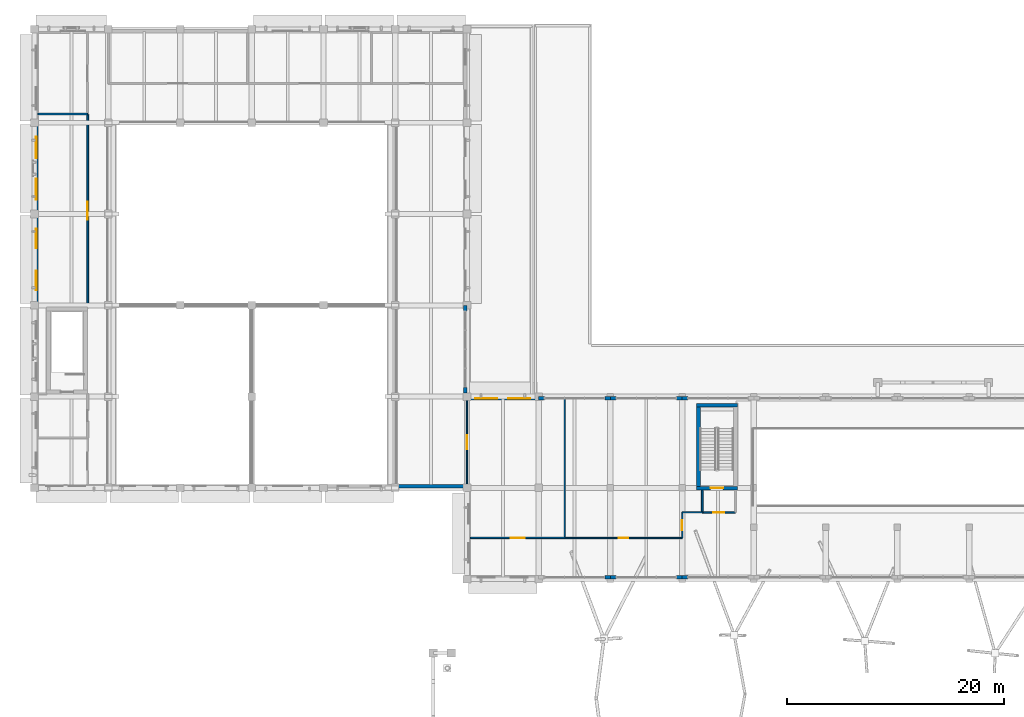
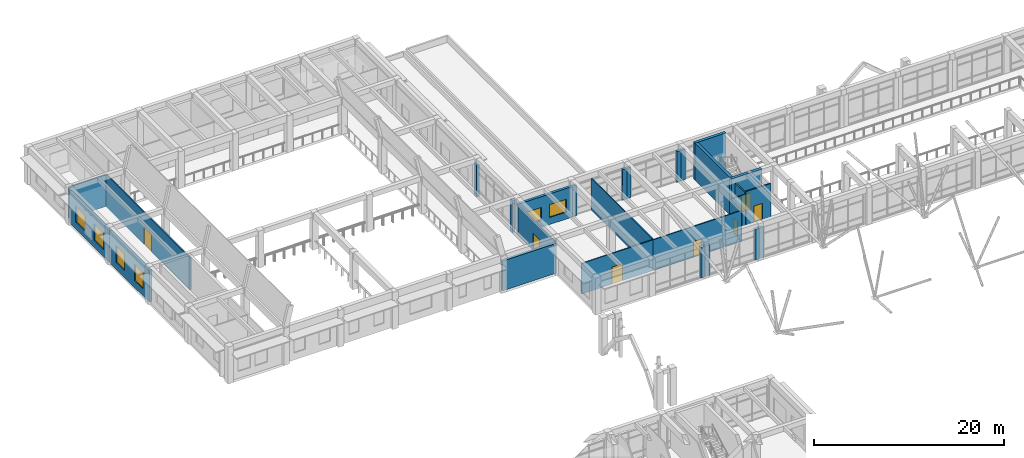
# One storey, part 47 of 75: 28 walls, 7 doors, 6 windows, 13 openings.
"""IFC4 building model written with IfcOpenShell, lengths in metres."""

from ifc_helpers import new_model, si_unit, direction, frame, frame_2d, origin, place, context, subcontext, project, spatial, rectangle, extrude, material, layer, layer_set, type_object, element, fill, save


model = new_model("IFC4")

# Units and contexts
model_context = context("Model", 3, precision=1e-05, world=origin(), true_north=direction((0.0, 1.0)))
body_context = subcontext(model_context, "Body", "Model", "MODEL_VIEW")
ifc_project = project(units=[si_unit("LENGTHUNIT", "METRE"), si_unit("AREAUNIT", "SQUARE_METRE"), si_unit("VOLUMEUNIT", "CUBIC_METRE"), si_unit("PLANEANGLEUNIT", "RADIAN"), si_unit("MASSUNIT", "GRAM", prefix="KILO")], contexts=[model_context])

# Site, building, storey
site_placement = place(None, origin())
site = spatial("IfcSite", under=ifc_project, at=site_placement, CompositionType="ELEMENT")
building_placement = place(site_placement, origin())
building = spatial("IfcBuilding", under=site, at=building_placement, Name="Kolvaren Faculty of Natural Sciences", CompositionType="ELEMENT")
storey_placement = place(building_placement, frame((0.0, 0.0, 5.39990234375)))
storey = spatial("IfcBuildingStorey", under=building, at=storey_placement, Name="L01", CompositionType="ELEMENT", Elevation=5.39990234375)

# Wall
ifc_material_1 = material(Name="Acoustic mineral-wool insulated gypsum partition")
ifc_layer_1 = layer(ifc_material_1, 0.159912109375)
ifc_layer_set_1 = layer_set([ifc_layer_1], Name="Acoustic mineral-wool insulated gypsum partition")
wall_type_1 = type_object("IfcWallType", Name="ClassroomPartitionWall_160", PredefinedType="PARTITIONING", material=ifc_layer_set_1)
wall_1_placement = place(storey_placement, frame((0.322021484375, 110.199951171875, 0.0), z_axis=(0.0, 0.0, 1.0), x_axis=(1.0, 0.0, 0.0)))
element("IfcWall", 1, at=wall_1_placement, inside=storey, type_object=wall_type_1, Name="L01 interior partition PW-160", PredefinedType="PARTITIONING", context=body_context, shape_type="SweptSolid", body=[
    extrude(rectangle(XDim=4.577880859375, YDim=0.159912109375, at=frame_2d((2.2890625, 0.0))), origin(), (0.0, 0.0, 1.0), 4.085205078125),
])

# Wall, opening, door
wall_2_placement = place(storey_placement, frame((4.89990234375, 110.199951171875, 0.0), z_axis=(0.0, 0.0, 1.0), x_axis=(0.0, -1.0, 0.0)))
wall_2 = element("IfcWall", 2, at=wall_2_placement, inside=storey, type_object=wall_type_1, Name="L01 interior partition PW-160", PredefinedType="PARTITIONING", context=body_context, shape_type="SweptSolid", body=[
    extrude(rectangle(XDim=17.800048828125, YDim=0.159912109375, at=frame_2d((8.89990234375, 0.0))), origin(), (0.0, 0.0, 1.0), 4.135009765625),
])
opening_1_placement = place(wall_2_placement, frame((8.080078125, 0.0, 0.0)))
opening_1 = element("IfcOpeningElement", 3, at=opening_1_placement, cuts=wall_2, Name="Opening ID-34", PredefinedType="OPENING", context=body_context, shape_type="SweptSolid", body=[
    extrude(rectangle(XDim=1.639892578125, YDim=2.199951171875, at=frame_2d((0.81982421875, 1.10009765625))), frame((0.0, 0.08984375, 0.0), z_axis=(0.0, -1.0, 0.0), x_axis=(1.0, 0.0, 0.0)), (0.0, 0.0, 1.0), 0.179931640625),
])
ifc_material_2 = material(Name="Thermally broken anodised aluminium glazed door", Category="aluminium")
door_type_1 = type_object("IfcDoorType", Name="InteriorRoomDoor_1640x2200", OperationType="DOUBLE_DOOR_SINGLE_SWING", PredefinedType="DOOR", material=ifc_material_2)
door_1_placement = place(opening_1_placement, origin())
door_1 = element("IfcDoor", 4, at=door_1_placement, inside=storey, type_object=door_type_1, Name="D-L01-0118", OperationType="DOUBLE_DOOR_SINGLE_SWING", OverallHeight=2.199951171875, OverallWidth=1.639892578125, PredefinedType="DOOR", context=body_context, shape_type="SweptSolid", body=[
    extrude(rectangle(XDim=1.639892578125, YDim=2.199951171875, at=frame_2d((0.81982421875, 1.10009765625))), frame((0.0, 0.02490234375, 0.0), z_axis=(0.0, -1.0, 0.0), x_axis=(1.0, 0.0, 0.0)), (0.0, 0.0, 1.0), 0.050048828125),
])
fill(opening_1, door_1)

ifc_material_3 = material(Name="Concrete C40/50", Category="concrete")
ifc_layer_2 = layer(ifc_material_3, 0.35009765625)
ifc_layer_set_2 = layer_set([ifc_layer_2], Name="Concrete C40/50")
wall_type_2 = type_object("IfcWallType", Name="CoreShearWall_350", PredefinedType="SHEAR", material=ifc_layer_set_2)
wall_3_placement = place(storey_placement, frame((60.925048828125, 75.77490234375, 0.0), z_axis=(0.0, 0.0, 1.0), x_axis=(1.0, 0.0, 0.0)))
wall_3 = element("IfcWall", 5, at=wall_3_placement, inside=storey, type_object=wall_type_2, Name="L01 CORE-C6 stair shear wall S", PredefinedType="SHEAR", context=body_context, shape_type="SweptSolid", body=[
    extrude(rectangle(XDim=3.75, YDim=0.35009765625, at=frame_2d((1.875, 0.0))), origin(), (0.0, 0.0, 1.0), 4.800048828125),
])
opening_2_placement = place(wall_3_placement, frame((1.300048828125, 0.0, 0.0)))
opening_2 = element("IfcOpeningElement", 6, at=opening_2_placement, cuts=wall_3, Name="Opening FD90", PredefinedType="OPENING", context=body_context, shape_type="SweptSolid", body=[
    extrude(rectangle(XDim=1.14990234375, YDim=2.14990234375, at=frame_2d((0.574951171875, 1.074951171875))), frame((0.0, 0.18505859375, 0.0), z_axis=(0.0, -1.0, 0.0), x_axis=(1.0, 0.0, 0.0)), (0.0, 0.0, 1.0), 0.3701171875),
])
ifc_material_4 = material(Name="Fire-rated solid-core hardwood door leaf in steel frame", Category="steel")
door_type_2 = type_object("IfcDoorType", Name="StairCoreFireDoor_1150x2150", OperationType="NOTDEFINED", PredefinedType="DOOR", material=ifc_material_4)
door_2_placement = place(opening_2_placement, origin())
door_2 = element("IfcDoor", 7, at=door_2_placement, inside=storey, type_object=door_type_2, Name="D-ST-ST-6-L01", OperationType="SINGLE_SWING_LEFT", OverallHeight=2.14990234375, OverallWidth=1.14990234375, PredefinedType="DOOR", context=body_context, shape_type="SweptSolid", body=[
    extrude(rectangle(XDim=1.14990234375, YDim=2.14990234375, at=frame_2d((0.574951171875, 1.074951171875))), frame((0.0, 0.02490234375, 0.0), z_axis=(0.0, -1.0, 0.0), x_axis=(1.0, 0.0, 0.0)), (0.0, 0.0, 1.0), 0.050048828125),
])
fill(opening_2, door_2)

# Walls
wall_4_placement = place(storey_placement, frame((60.925048828125, 83.39990234375, 0.0), z_axis=(0.0, 0.0, 1.0), x_axis=(1.0, 0.0, 0.0)))
element("IfcWall", 8, at=wall_4_placement, inside=storey, type_object=wall_type_2, Name="L01 CORE-C6 stair shear wall N", PredefinedType="SHEAR", context=body_context, shape_type="SweptSolid", body=[
    extrude(rectangle(XDim=3.75, YDim=0.35009765625, at=frame_2d((1.875, 0.0))), origin(), (0.0, 0.0, 1.0), 4.800048828125),
])
wall_5_placement = place(storey_placement, frame((61.10009765625, 75.949951171875, 0.0), z_axis=(0.0, 0.0, 1.0), x_axis=(0.0, 1.0, 0.0)))
element("IfcWall", 9, at=wall_5_placement, inside=storey, type_object=wall_type_2, Name="L01 CORE-C6 stair shear wall W", PredefinedType="SHEAR", context=body_context, shape_type="SweptSolid", body=[
    extrude(rectangle(XDim=7.275146484375, YDim=0.35009765625, at=frame_2d((3.6376953125, 0.0))), origin(), (0.0, 0.0, 1.0), 4.800048828125),
])

# Wall, openings, windows
ifc_material_5 = material(Name="Sandstone-faced insulated cavity masonry", Category="masonry")
ifc_layer_3 = layer(ifc_material_5, 0.320068359375)
ifc_layer_set_3 = layer_set([ifc_layer_3], Name="Sandstone-faced insulated cavity masonry")
wall_type_3 = type_object("IfcWallType", Name="ExteriorCavityWall_320", PredefinedType="STANDARD", material=ifc_layer_set_3)
wall_6_placement = place(storey_placement, frame((0.159912109375, 92.60009765625, 0.0), z_axis=(0.0, 0.0, 1.0), x_axis=(0.0, 1.0, 0.0)))
wall_6 = element("IfcWall", 10, at=wall_6_placement, inside=storey, type_object=wall_type_3, Name="L01 exterior masonry wall EW-320 (259)", PredefinedType="STANDARD", context=body_context, shape_type="SweptSolid", body=[
    extrude(rectangle(XDim=8.39990234375, YDim=0.320068359375, at=frame_2d((4.199951171875, 0.0))), origin(), (0.0, 0.0, 1.0), 4.085205078125),
])
opening_3_placement = place(wall_6_placement, frame((1.367919921875, 0.0, 0.89990234375)))
opening_3 = element("IfcOpeningElement", 11, at=opening_3_placement, cuts=wall_6, Name="Opening WIN-05", PredefinedType="OPENING", context=body_context, shape_type="SweptSolid", body=[
    extrude(rectangle(XDim=1.800048828125, YDim=2.10009765625, at=frame_2d((0.89990234375, 1.050048828125))), frame((0.0, 0.169921875, 0.0), z_axis=(0.0, -1.0, 0.0), x_axis=(1.0, 0.0, 0.0)), (0.0, 0.0, 1.0), 0.340087890625),
])
opening_4_placement = place(wall_6_placement, frame((5.23193359375, 0.0, 0.89990234375)))
opening_4 = element("IfcOpeningElement", 12, at=opening_4_placement, cuts=wall_6, Name="Opening WIN-05", PredefinedType="OPENING", context=body_context, shape_type="SweptSolid", body=[
    extrude(rectangle(XDim=1.800048828125, YDim=2.10009765625, at=frame_2d((0.89990234375, 1.050048828125))), frame((0.0, 0.169921875, 0.0), z_axis=(0.0, -1.0, 0.0), x_axis=(1.0, 0.0, 0.0)), (0.0, 0.0, 1.0), 0.340087890625),
])
ifc_material_6 = material(Name="Double low-E solar control insulated glazing", Category="glass")
window_type_1 = type_object("IfcWindowType", Name="AluWindow_WIN05_1800x2100", PartitioningType="SINGLE_PANEL", PredefinedType="WINDOW", material=ifc_material_6)
window_1_placement = place(opening_3_placement, origin())
window_1 = element("IfcWindow", 13, at=window_1_placement, inside=storey, type_object=window_type_1, Name="WIN-L01-0221", OverallHeight=2.10009765625, OverallWidth=1.800048828125, PartitioningType="SINGLE_PANEL", PredefinedType="WINDOW", context=body_context, shape_type="SweptSolid", body=[
    extrude(rectangle(XDim=1.800048828125, YDim=2.10009765625, at=frame_2d((0.89990234375, 1.050048828125))), frame((0.0, 0.030029296875, 0.0), z_axis=(0.0, -1.0, 0.0), x_axis=(1.0, 0.0, 0.0)), (0.0, 0.0, 1.0), 0.06005859375),
])
fill(opening_3, window_1)
window_2_placement = place(opening_4_placement, origin())
window_2 = element("IfcWindow", 14, at=window_2_placement, inside=storey, type_object=window_type_1, Name="WIN-L01-0222", OverallHeight=2.10009765625, OverallWidth=1.800048828125, PartitioningType="SINGLE_PANEL", PredefinedType="WINDOW", context=body_context, shape_type="SweptSolid", body=[
    extrude(rectangle(XDim=1.800048828125, YDim=2.10009765625, at=frame_2d((0.89990234375, 1.050048828125))), frame((0.0, 0.030029296875, 0.0), z_axis=(0.0, -1.0, 0.0), x_axis=(1.0, 0.0, 0.0)), (0.0, 0.0, 1.0), 0.06005859375),
])
fill(opening_4, window_2)

wall_7_placement = place(storey_placement, frame((0.159912109375, 101.0, 0.0), z_axis=(0.0, 0.0, 1.0), x_axis=(0.0, 1.0, 0.0)))
wall_7 = element("IfcWall", 15, at=wall_7_placement, inside=storey, type_object=wall_type_3, Name="L01 exterior masonry wall EW-320 (260)", PredefinedType="STANDARD", context=body_context, shape_type="SweptSolid", body=[
    extrude(rectangle(XDim=8.39990234375, YDim=0.320068359375, at=frame_2d((4.199951171875, 0.0))), origin(), (0.0, 0.0, 1.0), 4.085205078125),
])
opening_5_placement = place(wall_7_placement, frame((1.29296875, 0.0, 0.89990234375)))
opening_5 = element("IfcOpeningElement", 16, at=opening_5_placement, cuts=wall_7, Name="Opening WIN-06", PredefinedType="OPENING", context=body_context, shape_type="SweptSolid", body=[
    extrude(rectangle(XDim=1.949951171875, YDim=2.10009765625, at=frame_2d((0.97509765625, 1.050048828125))), frame((0.0, 0.169921875, 0.0), z_axis=(0.0, -1.0, 0.0), x_axis=(1.0, 0.0, 0.0)), (0.0, 0.0, 1.0), 0.340087890625),
])
opening_6_placement = place(wall_7_placement, frame((5.156982421875, 0.0, 0.89990234375)))
opening_6 = element("IfcOpeningElement", 17, at=opening_6_placement, cuts=wall_7, Name="Opening WIN-06", PredefinedType="OPENING", context=body_context, shape_type="SweptSolid", body=[
    extrude(rectangle(XDim=1.949951171875, YDim=2.10009765625, at=frame_2d((0.97509765625, 1.050048828125))), frame((0.0, 0.169921875, 0.0), z_axis=(0.0, -1.0, 0.0), x_axis=(1.0, 0.0, 0.0)), (0.0, 0.0, 1.0), 0.340087890625),
])
window_type_2 = type_object("IfcWindowType", Name="AluWindow_WIN06_1950x2100", PartitioningType="SINGLE_PANEL", PredefinedType="WINDOW", material=ifc_material_6)
window_3_placement = place(opening_5_placement, origin())
window_3 = element("IfcWindow", 18, at=window_3_placement, inside=storey, type_object=window_type_2, Name="WIN-L01-0223", OverallHeight=2.10009765625, OverallWidth=1.949951171875, PartitioningType="SINGLE_PANEL", PredefinedType="WINDOW", context=body_context, shape_type="SweptSolid", body=[
    extrude(rectangle(XDim=1.949951171875, YDim=2.10009765625, at=frame_2d((0.97509765625, 1.050048828125))), frame((0.0, 0.030029296875, 0.0), z_axis=(0.0, -1.0, 0.0), x_axis=(1.0, 0.0, 0.0)), (0.0, 0.0, 1.0), 0.06005859375),
])
fill(opening_5, window_3)
window_4_placement = place(opening_6_placement, origin())
window_4 = element("IfcWindow", 19, at=window_4_placement, inside=storey, type_object=window_type_2, Name="WIN-L01-0224", OverallHeight=2.10009765625, OverallWidth=1.949951171875, PartitioningType="SINGLE_PANEL", PredefinedType="WINDOW", context=body_context, shape_type="SweptSolid", body=[
    extrude(rectangle(XDim=1.949951171875, YDim=2.10009765625, at=frame_2d((0.97509765625, 1.050048828125))), frame((0.0, 0.030029296875, 0.0), z_axis=(0.0, -1.0, 0.0), x_axis=(1.0, 0.0, 0.0)), (0.0, 0.0, 1.0), 0.06005859375),
])
fill(opening_6, window_4)

# Walls
for number, where, z_axis, x_axis, name in (
    (20, (39.639892578125, 92.60009765625, 0.0), (0.0, 0.0, 1.0), (0.0, -1.0, 0.0), "L01 curtain-wall pier stub 271"),
    (21, (39.639892578125, 85.0400390625, 0.0), (0.0, 0.0, 1.0), (0.0, -1.0, 0.0), "L01 curtain-wall pier stub 272"),
):
    element("IfcWall", number, at=place(storey_placement, frame(where, z_axis=z_axis, x_axis=x_axis)), inside=storey, type_object=wall_type_3, Name=name, PredefinedType="STANDARD", context=body_context, shape_type="SweptSolid", body=[
        extrude(rectangle(XDim=0.52001953125, YDim=0.320068359375, at=frame_2d((0.260009765625, 0.0))), origin(), (0.0, 0.0, 1.0), 4.085205078125),
    ])

# Wall, openings, windows
wall_8_placement = place(storey_placement, frame((39.800048828125, 84.0400390625, 0.0), z_axis=(0.0, 0.0, 1.0), x_axis=(1.0, 0.0, 0.0)))
wall_8 = element("IfcWall", 22, at=wall_8_placement, inside=storey, type_object=wall_type_3, Name="L01 exterior masonry wall EW-320 (273)", PredefinedType="STANDARD", context=body_context, shape_type="SweptSolid", body=[
    extrude(rectangle(XDim=6.599853515625, YDim=0.320068359375, at=frame_2d((3.2998046875, 0.0))), origin(), (0.0, 0.0, 1.0), 3.93505859375),
])
opening_7_placement = place(wall_8_placement, frame((0.757080078125, 0.0, 0.89990234375)))
opening_7 = element("IfcOpeningElement", 23, at=opening_7_placement, cuts=wall_8, Name="Opening WIN-17", PredefinedType="OPENING", context=body_context, shape_type="SweptSolid", body=[
    extrude(rectangle(XDim=2.050048828125, YDim=1.64990234375, at=frame_2d((1.02490234375, 0.824951171875))), frame((0.0, 0.169921875, 0.0), z_axis=(0.0, -1.0, 0.0), x_axis=(1.0, 0.0, 0.0)), (0.0, 0.0, 1.0), 0.340087890625),
])
opening_8_placement = place(wall_8_placement, frame((3.79296875, 0.0, 0.89990234375)))
opening_8 = element("IfcOpeningElement", 24, at=opening_8_placement, cuts=wall_8, Name="Opening WIN-17", PredefinedType="OPENING", context=body_context, shape_type="SweptSolid", body=[
    extrude(rectangle(XDim=2.050048828125, YDim=1.64990234375, at=frame_2d((1.02490234375, 0.824951171875))), frame((0.0, 0.169921875, 0.0), z_axis=(0.0, -1.0, 0.0), x_axis=(1.0, 0.0, 0.0)), (0.0, 0.0, 1.0), 0.340087890625),
])
window_type_3 = type_object("IfcWindowType", Name="AluWindow_WIN17_2050x1650", PartitioningType="SINGLE_PANEL", PredefinedType="WINDOW", material=ifc_material_6)
window_5_placement = place(opening_7_placement, origin())
window_5 = element("IfcWindow", 25, at=window_5_placement, inside=storey, type_object=window_type_3, Name="WIN-L01-0238", OverallHeight=1.64990234375, OverallWidth=2.050048828125, PartitioningType="SINGLE_PANEL", PredefinedType="WINDOW", context=body_context, shape_type="SweptSolid", body=[
    extrude(rectangle(XDim=2.050048828125, YDim=1.64990234375, at=frame_2d((1.02490234375, 0.824951171875))), frame((0.0, 0.030029296875, 0.0), z_axis=(0.0, -1.0, 0.0), x_axis=(1.0, 0.0, 0.0)), (0.0, 0.0, 1.0), 0.06005859375),
])
fill(opening_7, window_5)
window_6_placement = place(opening_8_placement, origin())
window_6 = element("IfcWindow", 26, at=window_6_placement, inside=storey, type_object=window_type_3, Name="WIN-L01-0239", OverallHeight=1.64990234375, OverallWidth=2.050048828125, PartitioningType="SINGLE_PANEL", PredefinedType="WINDOW", context=body_context, shape_type="SweptSolid", body=[
    extrude(rectangle(XDim=2.050048828125, YDim=1.64990234375, at=frame_2d((1.02490234375, 0.824951171875))), frame((0.0, 0.030029296875, 0.0), z_axis=(0.0, -1.0, 0.0), x_axis=(1.0, 0.0, 0.0)), (0.0, 0.0, 1.0), 0.06005859375),
])
fill(opening_8, window_6)

# Walls
for number, where, z_axis, x_axis, name in (
    (27, (46.39990234375, 84.0400390625, 0.0), (0.0, 0.0, 1.0), (1.0, 0.0, 0.0), "L01 curtain-wall pier stub 274"),
    (28, (52.47998046875, 84.0400390625, 0.0), (0.0, 0.0, 1.0), (1.0, 0.0, 0.0), "L01 curtain-wall pier stub 275"),
    (29, (53.0, 84.0400390625, 0.0), (0.0, 0.0, 1.0), (1.0, 0.0, 0.0), "L01 curtain-wall pier stub 276"),
    (30, (59.080078125, 84.0400390625, 0.0), (0.0, 0.0, 1.0), (1.0, 0.0, 0.0), "L01 curtain-wall pier stub 277"),
    (31, (59.60009765625, 84.0400390625, 0.0), (0.0, 0.0, 1.0), (1.0, 0.0, 0.0), "L01 curtain-wall pier stub 278"),
    (32, (60.1201171875, 67.56005859375, 0.0), (0.0, 0.0, 1.0), (-1.0, 0.0, 0.0), "L01 curtain-wall pier stub 307"),
    (33, (59.60009765625, 67.56005859375, 0.0), (0.0, 0.0, 1.0), (-1.0, 0.0, 0.0), "L01 curtain-wall pier stub 308"),
    (34, (53.52001953125, 67.56005859375, 0.0), (0.0, 0.0, 1.0), (-1.0, 0.0, 0.0), "L01 curtain-wall pier stub 309"),
    (35, (53.0, 67.56005859375, 0.0), (0.0, 0.0, 1.0), (-1.0, 0.0, 0.0), "L01 curtain-wall pier stub 310"),
):
    element("IfcWall", number, at=place(storey_placement, frame(where, z_axis=z_axis, x_axis=x_axis)), inside=storey, type_object=wall_type_3, Name=name, PredefinedType="STANDARD", context=body_context, shape_type="SweptSolid", body=[
        extrude(rectangle(XDim=0.52001953125, YDim=0.320068359375, at=frame_2d((0.260009765625, 0.0))), origin(), (0.0, 0.0, 1.0), 3.93505859375),
    ])
wall_9_placement = place(storey_placement, frame((39.800048828125, 75.9599609375, 0.0), z_axis=(0.0, 0.0, 1.0), x_axis=(-1.0, 0.0, 0.0)))
element("IfcWall", 36, at=wall_9_placement, inside=storey, type_object=wall_type_3, Name="L01 exterior masonry wall EW-320 (314)", PredefinedType="STANDARD", context=body_context, shape_type="SweptSolid", body=[
    extrude(rectangle(XDim=6.60009765625, YDim=0.320068359375, at=frame_2d((3.300048828125, 0.0))), origin(), (0.0, 0.0, 1.0), 3.835205078125),
])

# Wall, opening, door
ifc_material_7 = material(Name="Double fire-rated gypsum board on 100 mm steel stud", Category="steel")
ifc_layer_4 = layer(ifc_material_7, 0.14990234375)
ifc_layer_set_4 = layer_set([ifc_layer_4], Name="Double fire-rated gypsum board on 100 mm steel stud")
wall_type_4 = type_object("IfcWallType", Name="RatedCorridorWall_150", PredefinedType="PARTITIONING", material=ifc_layer_set_4)
wall_10_placement = place(storey_placement, frame((64.5, 73.550048828125, 0.0), z_axis=(0.0, 0.0, 1.0), x_axis=(-1.0, 0.0, 0.0)))
wall_10 = element("IfcWall", 37, at=wall_10_placement, inside=storey, type_object=wall_type_4, Name="L01 interior partition LW-150", PredefinedType="PARTITIONING", context=body_context, shape_type="SweptSolid", body=[
    extrude(rectangle(XDim=3.050048828125, YDim=0.14990234375, at=frame_2d((1.52490234375, 0.0))), origin(), (0.0, 0.0, 1.0), 4.28515625),
])
opening_9_placement = place(wall_10_placement, frame((1.02490234375, 0.0, 0.0)))
opening_9 = element("IfcOpeningElement", 38, at=opening_9_placement, cuts=wall_10, Name="Opening FD30", PredefinedType="OPENING", context=body_context, shape_type="SweptSolid", body=[
    extrude(rectangle(XDim=1.0, YDim=2.10009765625, at=frame_2d((0.5, 1.050048828125))), frame((0.0, 0.0849609375, 0.0), z_axis=(0.0, -1.0, 0.0), x_axis=(1.0, 0.0, 0.0)), (0.0, 0.0, 1.0), 0.169921875),
])
door_type_3 = type_object("IfcDoorType", Name="CorridorFireDoor_1000x2100", OperationType="NOTDEFINED", PredefinedType="DOOR", material=ifc_material_4)
door_3_placement = place(opening_9_placement, origin())
door_3 = element("IfcDoor", 39, at=door_3_placement, inside=storey, type_object=door_type_3, Name="D-L01-0108", OperationType="SINGLE_SWING_RIGHT", OverallHeight=2.10009765625, OverallWidth=1.0, PredefinedType="DOOR", context=body_context, shape_type="SweptSolid", body=[
    extrude(rectangle(XDim=1.0, YDim=2.10009765625, at=frame_2d((0.5, 1.050048828125))), frame((0.0, 0.02490234375, 0.0), z_axis=(0.0, -1.0, 0.0), x_axis=(1.0, 0.0, 0.0)), (0.0, 0.0, 1.0), 0.050048828125),
])
fill(opening_9, door_3)

# Walls
wall_11_placement = place(storey_placement, frame((61.449951171875, 73.550048828125, 0.0), z_axis=(0.0, 0.0, 1.0), x_axis=(0.0, 1.0, 0.0)))
element("IfcWall", 40, at=wall_11_placement, inside=storey, type_object=wall_type_4, Name="L01 interior partition LW-150", PredefinedType="PARTITIONING", context=body_context, shape_type="SweptSolid", body=[
    extrude(rectangle(XDim=2.0478515625, YDim=0.14990234375, at=frame_2d((1.02392578125, 0.0))), origin(), (0.0, 0.0, 1.0), 4.135009765625),
])
ifc_layer_5 = layer(ifc_material_1, 0.114990234375)
ifc_layer_set_5 = layer_set([ifc_layer_5], Name="Acoustic mineral-wool insulated gypsum partition")
wall_type_5 = type_object("IfcWallType", Name="StorePartitionWall_115", PredefinedType="PARTITIONING", material=ifc_layer_set_5)
wall_12_placement = place(storey_placement, frame((61.449951171875, 73.550048828125, 0.0), z_axis=(0.0, 0.0, 1.0), x_axis=(-1.0, 0.0, 0.0)))
element("IfcWall", 41, at=wall_12_placement, inside=storey, type_object=wall_type_5, Name="L01 interior partition PW-115", PredefinedType="PARTITIONING", context=body_context, shape_type="SweptSolid", body=[
    extrude(rectangle(XDim=1.849853515625, YDim=0.114990234375, at=frame_2d((0.9248046875, 0.0))), origin(), (0.0, 0.0, 1.0), 3.93505859375),
])

# Wall, opening, door
wall_13_placement = place(storey_placement, frame((59.60009765625, 73.550048828125, 0.0), z_axis=(0.0, 0.0, 1.0), x_axis=(0.0, -1.0, 0.0)))
wall_13 = element("IfcWall", 42, at=wall_13_placement, inside=storey, type_object=wall_type_5, Name="L01 interior partition PW-115", PredefinedType="PARTITIONING", context=body_context, shape_type="SweptSolid", body=[
    extrude(rectangle(XDim=2.35009765625, YDim=0.114990234375, at=frame_2d((1.175048828125, 0.0))), origin(), (0.0, 0.0, 1.0), 3.93505859375),
])
opening_10_placement = place(wall_13_placement, frame((0.72509765625, 0.0, 0.0)))
opening_10 = element("IfcOpeningElement", 43, at=opening_10_placement, cuts=wall_13, Name="Opening ID-01", PredefinedType="OPENING", context=body_context, shape_type="SweptSolid", body=[
    extrude(rectangle(XDim=0.89990234375, YDim=2.02001953125, at=frame_2d((0.449951171875, 1.010009765625))), frame((0.0, 0.0673828125, 0.0), z_axis=(0.0, -1.0, 0.0), x_axis=(1.0, 0.0, 0.0)), (0.0, 0.0, 1.0), 0.135009765625),
])
ifc_material_8 = material(Name="Solid-core hardwood veneer door leaf in steel frame", Category="steel")
door_type_4 = type_object("IfcDoorType", Name="InteriorRoomDoor_900x2020", OperationType="NOTDEFINED", PredefinedType="DOOR", material=ifc_material_8)
door_4_placement = place(opening_10_placement, origin())
door_4 = element("IfcDoor", 44, at=door_4_placement, inside=storey, type_object=door_type_4, Name="D-L01-0125", OperationType="SINGLE_SWING_LEFT", OverallHeight=2.02001953125, OverallWidth=0.89990234375, PredefinedType="DOOR", context=body_context, shape_type="SweptSolid", body=[
    extrude(rectangle(XDim=0.89990234375, YDim=2.02001953125, at=frame_2d((0.449951171875, 1.010009765625))), frame((0.0, 0.02490234375, 0.0), z_axis=(0.0, -1.0, 0.0), x_axis=(1.0, 0.0, 0.0)), (0.0, 0.0, 1.0), 0.050048828125),
])
fill(opening_10, door_4)

wall_14_placement = place(storey_placement, frame((59.60009765625, 71.199951171875, 0.0), z_axis=(0.0, 0.0, 1.0), x_axis=(-1.0, 0.0, 0.0)))
wall_14 = element("IfcWall", 45, at=wall_14_placement, inside=storey, type_object=wall_type_5, Name="L01 interior partition PW-115", PredefinedType="PARTITIONING", context=body_context, shape_type="SweptSolid", body=[
    extrude(rectangle(XDim=10.800048828125, YDim=0.114990234375, at=frame_2d((5.39990234375, 0.0))), origin(), (0.0, 0.0, 1.0), 3.93505859375),
])
opening_11_placement = place(wall_14_placement, frame((4.949951171875, 0.0, 0.0)))
opening_11 = element("IfcOpeningElement", 46, at=opening_11_placement, cuts=wall_14, Name="Opening ID-01", PredefinedType="OPENING", context=body_context, shape_type="SweptSolid", body=[
    extrude(rectangle(XDim=0.89990234375, YDim=2.02001953125, at=frame_2d((0.449951171875, 1.010009765625))), frame((0.0, 0.0673828125, 0.0), z_axis=(0.0, -1.0, 0.0), x_axis=(1.0, 0.0, 0.0)), (0.0, 0.0, 1.0), 0.135009765625),
])
door_5_placement = place(opening_11_placement, origin())
door_5 = element("IfcDoor", 47, at=door_5_placement, inside=storey, type_object=door_type_4, Name="D-L01-0124", OperationType="SINGLE_SWING_RIGHT", OverallHeight=2.02001953125, OverallWidth=0.89990234375, PredefinedType="DOOR", context=body_context, shape_type="SweptSolid", body=[
    extrude(rectangle(XDim=0.89990234375, YDim=2.02001953125, at=frame_2d((0.449951171875, 1.010009765625))), frame((0.0, 0.02490234375, 0.0), z_axis=(0.0, -1.0, 0.0), x_axis=(1.0, 0.0, 0.0)), (0.0, 0.0, 1.0), 0.050048828125),
])
fill(opening_11, door_5)

ifc_layer_6 = layer(ifc_material_1, 0.1201171875)
ifc_layer_set_6 = layer_set([ifc_layer_6], Name="Acoustic mineral-wool insulated gypsum partition")
wall_type_6 = type_object("IfcWallType", Name="StudioPartitionWall_120", PredefinedType="PARTITIONING", material=ifc_layer_set_6)
wall_15_placement = place(storey_placement, frame((39.800048828125, 76.14990234375, 0.0), z_axis=(0.0, 0.0, 1.0), x_axis=(0.0, 1.0, 0.0)))
wall_15 = element("IfcWall", 48, at=wall_15_placement, inside=storey, type_object=wall_type_6, Name="L01 interior partition PW-120", PredefinedType="PARTITIONING", context=body_context, shape_type="SweptSolid", body=[
    extrude(rectangle(XDim=7.7001953125, YDim=0.1201171875, at=frame_2d((3.85009765625, 0.0))), origin(), (0.0, 0.0, 1.0), 3.93505859375),
])
opening_12_placement = place(wall_15_placement, frame((3.199951171875, 0.0, 0.0)))
opening_12 = element("IfcOpeningElement", 49, at=opening_12_placement, cuts=wall_15, Name="Opening ID-38", PredefinedType="OPENING", context=body_context, shape_type="SweptSolid", body=[
    extrude(rectangle(XDim=1.300048828125, YDim=2.179931640625, at=frame_2d((0.64990234375, 1.08984375))), frame((0.0, 0.070068359375, 0.0), z_axis=(0.0, -1.0, 0.0), x_axis=(1.0, 0.0, 0.0)), (0.0, 0.0, 1.0), 0.14013671875),
])
door_type_5 = type_object("IfcDoorType", Name="InteriorRoomDoor_1300x2180", OperationType="NOTDEFINED", PredefinedType="DOOR", material=ifc_material_8)
door_6_placement = place(opening_12_placement, origin())
door_6 = element("IfcDoor", 50, at=door_6_placement, inside=storey, type_object=door_type_5, Name="D-L01-0122", OperationType="SINGLE_SWING_RIGHT", OverallHeight=2.179931640625, OverallWidth=1.300048828125, PredefinedType="DOOR", context=body_context, shape_type="SweptSolid", body=[
    extrude(rectangle(XDim=1.300048828125, YDim=2.179931640625, at=frame_2d((0.64990234375, 1.08984375))), frame((0.0, 0.02490234375, 0.0), z_axis=(0.0, -1.0, 0.0), x_axis=(1.0, 0.0, 0.0)), (0.0, 0.0, 1.0), 0.050048828125),
])
fill(opening_12, door_6)

# Wall
wall_16_placement = place(storey_placement, frame((48.800048828125, 84.0, 0.0), z_axis=(0.0, 0.0, 1.0), x_axis=(0.0, -1.0, 0.0)))
element("IfcWall", 51, at=wall_16_placement, inside=storey, type_object=wall_type_6, Name="L01 interior partition PW-120", PredefinedType="PARTITIONING", context=body_context, shape_type="SweptSolid", body=[
    extrude(rectangle(XDim=12.800048828125, YDim=0.1201171875, at=frame_2d((6.39990234375, 0.0))), origin(), (0.0, 0.0, 1.0), 4.085205078125),
])

# Wall, opening, door
wall_17_placement = place(storey_placement, frame((48.800048828125, 71.199951171875, 0.0), z_axis=(0.0, 0.0, 1.0), x_axis=(-1.0, 0.0, 0.0)))
wall_17 = element("IfcWall", 52, at=wall_17_placement, inside=storey, type_object=wall_type_6, Name="L01 interior partition PW-120", PredefinedType="PARTITIONING", context=body_context, shape_type="SweptSolid", body=[
    extrude(rectangle(XDim=8.677978515625, YDim=0.1201171875, at=frame_2d((4.3388671875, 0.0))), origin(), (0.0, 0.0, 1.0), 3.93505859375),
])
opening_13_placement = place(wall_17_placement, frame((3.68896484375, 0.0, 0.0)))
opening_13 = element("IfcOpeningElement", 53, at=opening_13_placement, cuts=wall_17, Name="Opening ID-38", PredefinedType="OPENING", context=body_context, shape_type="SweptSolid", body=[
    extrude(rectangle(XDim=1.300048828125, YDim=2.179931640625, at=frame_2d((0.64990234375, 1.08984375))), frame((0.0, 0.070068359375, 0.0), z_axis=(0.0, -1.0, 0.0), x_axis=(1.0, 0.0, 0.0)), (0.0, 0.0, 1.0), 0.14013671875),
])
door_7_placement = place(opening_13_placement, origin())
door_7 = element("IfcDoor", 54, at=door_7_placement, inside=storey, type_object=door_type_5, Name="D-L01-0123", OperationType="SINGLE_SWING_LEFT", OverallHeight=2.179931640625, OverallWidth=1.300048828125, PredefinedType="DOOR", context=body_context, shape_type="SweptSolid", body=[
    extrude(rectangle(XDim=1.300048828125, YDim=2.179931640625, at=frame_2d((0.64990234375, 1.08984375))), frame((0.0, 0.02490234375, 0.0), z_axis=(0.0, -1.0, 0.0), x_axis=(1.0, 0.0, 0.0)), (0.0, 0.0, 1.0), 0.050048828125),
])
fill(opening_13, door_7)

save(model, "model.ifc")
